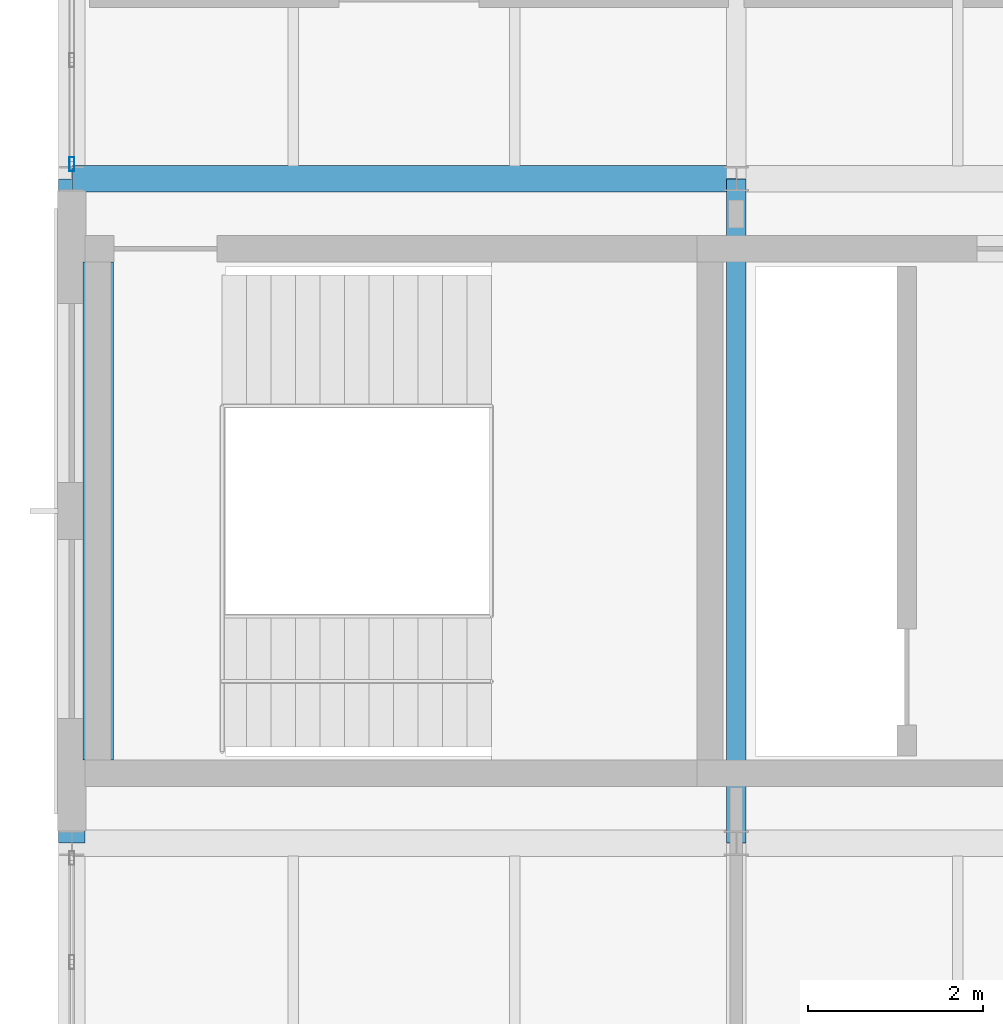
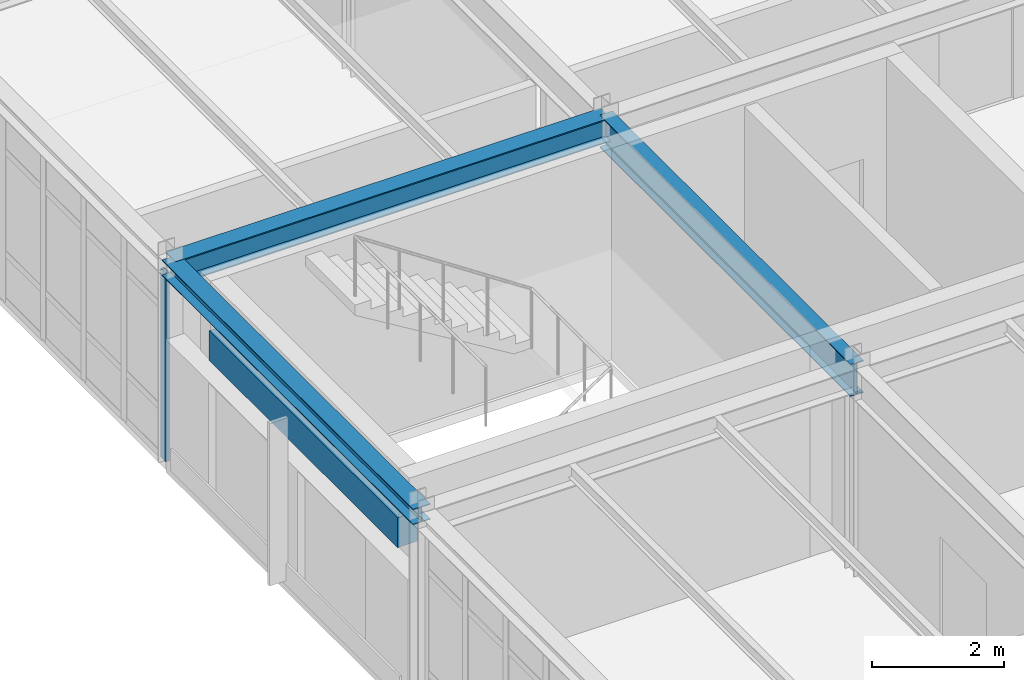
# One storey, part 26 of 165: 4 beams, 1 member, 1 element without a shape of its own.
"""IFC4 building model written with IfcOpenShell, lengths in metres."""

from ifc_helpers import new_model, si_unit, direction, frame, origin, origin_2d, place, context, subcontext, project, spatial, rectangle, hollow_rectangle, i_section, extrude, material, layer, layer_set, material_profile, profile_set, type_object, element, aggregate, save


model = new_model("IFC4")

# Units and contexts
model_context = context("Model", 3, precision=1e-05, world=origin(), true_north=direction((0.0, 1.0)))
body_context = subcontext(model_context, "Body", "Model", "MODEL_VIEW")
ifc_project = project(units=[si_unit("LENGTHUNIT", "METRE"), si_unit("AREAUNIT", "SQUARE_METRE"), si_unit("VOLUMEUNIT", "CUBIC_METRE"), si_unit("PLANEANGLEUNIT", "RADIAN"), si_unit("MASSUNIT", "GRAM", prefix="KILO")], contexts=[model_context])

# Site, building, storey
site_placement = place(None, origin())
site = spatial("IfcSite", under=ifc_project, at=site_placement, CompositionType="ELEMENT")
building_placement = place(site_placement, origin())
building = spatial("IfcBuilding", under=site, at=building_placement, Name="Montecoro Central Library", CompositionType="ELEMENT")
storey_placement = place(building_placement, frame((0.0, 0.0, 5.10009765625)))
storey = spatial("IfcBuildingStorey", under=building, at=storey_placement, Name="L01", CompositionType="ELEMENT", Elevation=5.10009765625)

# Beams
ifc_material_1 = material(Name="Steel S355J2", Category="steel")
ifc_material_profile_1 = material_profile(ifc_material_1, i_section(OverallWidth=0.300048828125, OverallDepth=0.43994140625, WebThickness=0.011474609375, FlangeThickness=0.02099609375, at=origin_2d()), Name="HEA 450")
ifc_profile_set_1 = profile_set([ifc_material_profile_1], Name="Steel S355J2")
beam_type_1 = type_object("IfcBeamType", Name="BM-G-HEA450", PredefinedType="USERDEFINED", material=ifc_profile_set_1)
beam_1_placement = place(storey_placement, frame((5.0048828125, 20.199951171875, 3.60498046875), z_axis=(1.0, 0.0, 0.0), x_axis=(0.0, 1.0, 0.0)))
element("IfcBeam", 1, at=beam_1_placement, inside=storey, type_object=beam_type_1, Name="V3-L01-BX-12-C", ObjectType="GIRDER", PredefinedType="USERDEFINED", context=body_context, shape_type="SweptSolid", body=[
    extrude(i_section(OverallWidth=0.300048828125, OverallDepth=0.43994140625, WebThickness=0.011474609375, FlangeThickness=0.02099609375, at=origin_2d()), origin(), (0.0, 0.0, 1.0), 7.590087890625),
])
ifc_material_profile_2 = material_profile(ifc_material_1, i_section(OverallWidth=0.219970703125, OverallDepth=0.60009765625, WebThickness=0.011962890625, FlangeThickness=0.01904296875, at=origin_2d()), Name="IPE 600")
ifc_profile_set_2 = profile_set([ifc_material_profile_2], Name="Steel S355J2")
beam_type_2 = type_object("IfcBeamType", Name="BM-G-IPE600", PredefinedType="USERDEFINED", material=ifc_profile_set_2)
beam_2_placement = place(storey_placement, frame((12.60009765625, 12.60498046875, 3.52490234375), z_axis=(0.0, 1.0, 0.0), x_axis=(-1.0, 0.0, 0.0)))
element("IfcBeam", 2, at=beam_2_placement, inside=storey, type_object=beam_type_2, Name="V3-L01-BY-2-BC", ObjectType="GIRDER", PredefinedType="USERDEFINED", context=body_context, shape_type="SweptSolid", body=[
    extrude(i_section(OverallWidth=0.219970703125, OverallDepth=0.60009765625, WebThickness=0.011962890625, FlangeThickness=0.01904296875, at=origin_2d()), origin(), (0.0, 0.0, 1.0), 7.590087890625),
])
ifc_material_2 = material(Name="Concrete C35/45", Category="concrete")
ifc_material_profile_3 = material_profile(ifc_material_2, rectangle(XDim=0.35009765625, YDim=0.550048828125, at=origin_2d()), Name="RC LNT 550x350")
ifc_profile_set_3 = profile_set([ifc_material_profile_3], Name="Concrete C35/45")
beam_type_3 = type_object("IfcBeamType", Name="BM-LN-RC04", PredefinedType="LINTEL", material=ifc_profile_set_3)
beam_3_placement = place(storey_placement, frame((5.300048828125, 13.550048828125, 2.724853515625), z_axis=(0.0, 1.0, 0.0), x_axis=(-1.0, 0.0, 0.0)))
element("IfcBeam", 3, at=beam_3_placement, inside=storey, type_object=beam_type_3, Name="C4-L01-LNT", PredefinedType="LINTEL", context=body_context, shape_type="SweptSolid", body=[
    extrude(rectangle(XDim=0.35009765625, YDim=0.550048828125, at=origin_2d()), origin(), (0.0, 0.0, 1.0), 5.699951171875),
])
ifc_material_3 = material(Name="Steel S355", Category="steel")
ifc_material_profile_4 = material_profile(ifc_material_3, i_section(OverallWidth=0.300048828125, OverallDepth=0.2900390625, WebThickness=0.008544921875, FlangeThickness=0.013916015625, at=origin_2d()), Name="HEA 300")
ifc_profile_set_4 = profile_set([ifc_material_profile_4], Name="Steel S355")
beam_type_4 = type_object("IfcBeamType", Name="BM-SP-HEA300", PredefinedType="SPANDREL", material=ifc_profile_set_4)
beam_4_placement = place(storey_placement, frame((5.0, 12.60498046875, 3.679931640625), z_axis=(0.0, 1.0, 0.0), x_axis=(-1.0, 0.0, 0.0)))
element("IfcBeam", 4, at=beam_4_placement, inside=storey, type_object=beam_type_4, Name="V3-L01-BY-1-BC", PredefinedType="SPANDREL", context=body_context, shape_type="SweptSolid", body=[
    extrude(i_section(OverallWidth=0.300048828125, OverallDepth=0.2900390625, WebThickness=0.008544921875, FlangeThickness=0.013916015625, at=origin_2d()), origin(), (0.0, 0.0, 1.0), 7.590087890625),
])

# Curtain wall, member
ifc_material_4 = material(Name="Bronze-anodised aluminium and low-E glazing", Category="aluminium")
ifc_layer = layer(ifc_material_4, 0.159912109375)
ifc_layer_set = layer_set([ifc_layer], Name="Bronze-anodised aluminium and low-E glazing")
curtain_wall_type = type_object("IfcCurtainWallType", Name="CWT-032", PredefinedType="NOTDEFINED", material=ifc_layer_set)
curtain_wall_placement = place(storey_placement, origin())
curtain_wall = element("IfcCurtainWall", 5, at=curtain_wall_placement, inside=storey, type_object=curtain_wall_type, Name="V3-L01-CW-W2", PredefinedType="NOTDEFINED")
ifc_material_5 = material(Name="Bronze-anodised aluminium", Category="aluminium")
ifc_material_profile_5 = material_profile(ifc_material_5, hollow_rectangle(XDim=0.06005859375, YDim=0.159912109375, WallThickness=0.00390625, at=origin_2d()), Name="CWM 160x60x4.0")
ifc_profile_set_5 = profile_set([ifc_material_profile_5], Name="Bronze-anodised aluminium")
member_type = type_object("IfcMemberType", Name="CWM-BRZ-60", PredefinedType="MULLION", material=ifc_profile_set_5)
member_placement = place(storey_placement, frame((5.0, 20.367919921875, 0.0), z_axis=(0.0, 0.0, 1.0), x_axis=(1.0, 0.0, 0.0)))
member = element("IfcMember", 6, at=member_placement, type_object=member_type, Name="CW-032 mullion 7", PredefinedType="MULLION", context=body_context, shape_type="SweptSolid", body=[
    extrude(hollow_rectangle(XDim=0.06005859375, YDim=0.159912109375, WallThickness=0.00390625, at=origin_2d()), origin(), (0.0, 0.0, 1.0), 3.47998046875),
])
aggregate(curtain_wall, [member])

save(model, "model.ifc")
